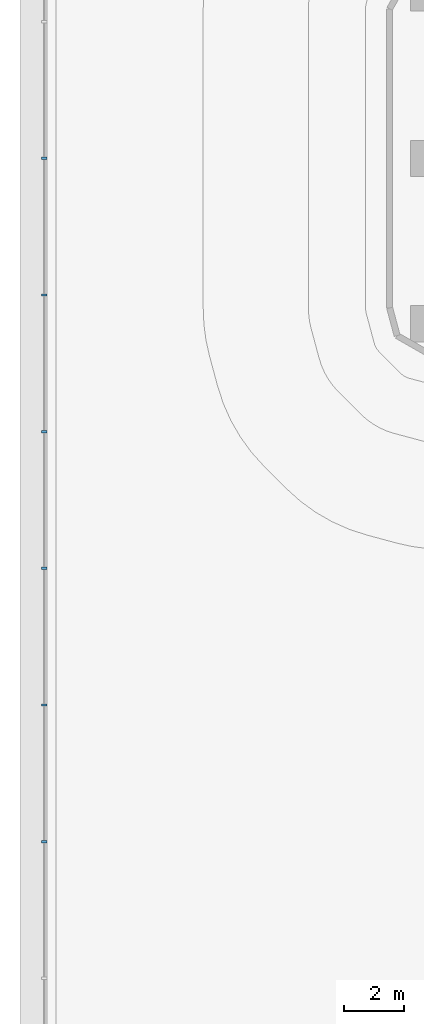
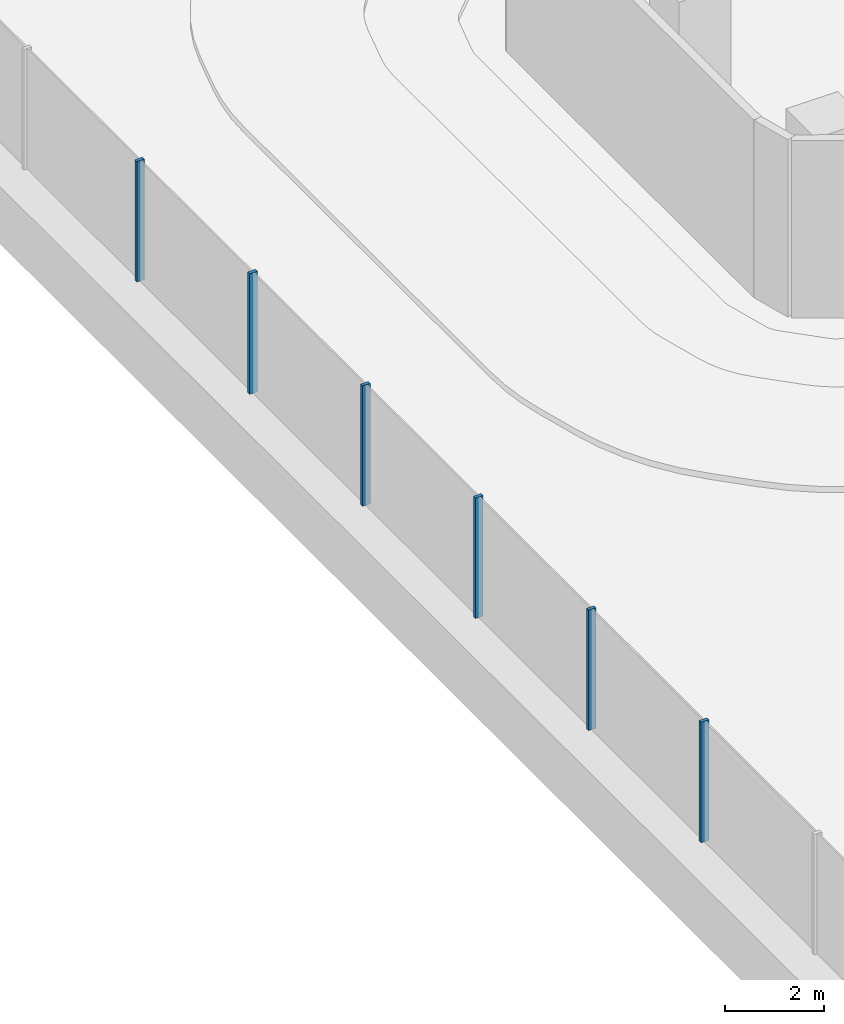
# One storey, part 5 of 37: 6 members, 1 element without a shape of its own.
"""IFC4 building model written with IfcOpenShell, lengths in metres."""

import ifcopenshell
import ifcopenshell.guid

model = None  # the IFC model being written
_history = None  # IfcOwnerHistory: only IFC2X3 demands one
_inside = {}  # id of a spatial element -> (the spatial element, [elements in it])
_under = {}  # id of a project, library or spatial element -> (it, [spatial elements below it])
_declared = {}  # id of a project -> (the project, [libraries it declares])
_typed = {}  # id of a type object -> (the type object, [elements of that type])
_made_of = {}  # id of a material, layer set ... -> (it, [elements and type objects made of it])


def new_model(schema):
    """Start an empty IFC model of exactly this schema.

    Asked for "IFC4X3", IfcOpenShell would pick the latest addendum, in which some entities
    have other attributes; the version numbers below select the first issue.
    IFC2X3 requires an IfcOwnerHistory on every rooted entity: one is made here for all.
    """
    global model, _history
    if schema == "IFC4X3":
        model = ifcopenshell.file(schema_version=(4, 3, 0, 0))
    else:
        model = ifcopenshell.file(schema=schema)
    _inside.clear()
    _under.clear()
    _declared.clear()
    _typed.clear()
    _made_of.clear()
    _history = None
    if model.schema == "IFC2X3":
        org = make("IfcOrganization", Name="unknown")
        user = make(
            "IfcPersonAndOrganization",
            ThePerson=make("IfcPerson", FamilyName="unknown"),
            TheOrganization=org,
        )
        app = make(
            "IfcApplication",
            ApplicationDeveloper=org,
            Version="unknown",
            ApplicationFullName="unknown",
            ApplicationIdentifier="unknown",
        )
        _history = make(
            "IfcOwnerHistory",
            OwningUser=user,
            OwningApplication=app,
            ChangeAction="ADDED",
            CreationDate=0,
        )
    return model


def make(cls, **values):
    """One entity of the class cls with the attributes given. An attribute that is None is left unset."""
    return model.create_entity(
        cls, **{name: value for name, value in values.items() if value is not None}
    )


def rooted(cls, **values):
    """An entity with a GlobalId (a new one), such as an element, a storey or a relation."""
    return make(cls, GlobalId=ifcopenshell.guid.new(), OwnerHistory=_history, **values)


def si_unit(unit_type, name, prefix=None):
    """IfcSIUnit, for example si_unit("LENGTHUNIT", "METRE", prefix="MILLI")."""
    return make("IfcSIUnit", UnitType=unit_type, Prefix=prefix, Name=name)


def assignment(units):
    """IfcUnitAssignment: the units of a project."""
    return None if units is None else make("IfcUnitAssignment", Units=units)


def point(xyz):
    """IfcCartesianPoint."""
    return None if xyz is None else make("IfcCartesianPoint", Coordinates=xyz)


def direction(xyz):
    """IfcDirection."""
    return None if xyz is None else make("IfcDirection", DirectionRatios=xyz)


def frame(location, z_axis=None, x_axis=None):
    """IfcAxis2Placement3D, a coordinate frame: its origin and axes. An axis left out is left unset."""
    return make(
        "IfcAxis2Placement3D",
        Location=point(location),
        Axis=direction(z_axis),
        RefDirection=direction(x_axis),
    )


def frame_2d(location, x_axis=None):
    """IfcAxis2Placement2D, a coordinate frame in the plane: its origin and x axis."""
    return make(
        "IfcAxis2Placement2D", Location=point(location), RefDirection=direction(x_axis)
    )


def origin():
    """The frame at (0, 0, 0) with its axes left unset."""
    return frame((0.0, 0.0, 0.0))


def origin_2d():
    """The frame at (0, 0) in the plane with its x axis left unset."""
    return frame_2d((0.0, 0.0))


def place(relative_to, where):
    """IfcLocalPlacement: puts the frame where relative to a parent placement (None: the world)."""
    return make(
        "IfcLocalPlacement", PlacementRelTo=relative_to, RelativePlacement=where
    )


def context(
    kind, dimensions, precision=None, world=None, true_north=None, identifier=None
):
    """IfcGeometricRepresentationContext, for example the 3D "Model" context."""
    return make(
        "IfcGeometricRepresentationContext",
        ContextIdentifier=identifier,
        ContextType=kind,
        CoordinateSpaceDimension=dimensions,
        Precision=precision,
        WorldCoordinateSystem=world,
        TrueNorth=true_north,
    )


def subcontext(parent, identifier, kind, view, scale=None):
    """IfcGeometricRepresentationSubContext, for example "Body" below "Model"."""
    return make(
        "IfcGeometricRepresentationSubContext",
        ContextIdentifier=identifier,
        ContextType=kind,
        ParentContext=parent,
        TargetScale=scale,
        TargetView=view,
    )


def project(units=None, contexts=None):
    """IfcProject with its units and contexts."""
    return rooted(
        "IfcProject",
        Name="project",
        RepresentationContexts=contexts,
        UnitsInContext=assignment(units),
    )


def spatial(cls, under=None, at=None, **own):
    """A site, building, storey or space (cls), placed at a placement, below another one or the project."""
    s = rooted(cls, ObjectPlacement=at, **own)
    if under is not None:
        _under.setdefault(under.id(), (under, []))[1].append(s)
    return s


def profile(cls, at=None, kind="AREA", **sizes):
    """A parametric profile (cls). Its sizes go by their IFC names, for example OverallWidth=200.0."""
    return make(cls, ProfileType=kind, Position=at, **sizes)


def rectangle(**sizes):
    """IfcRectangleProfileDef."""
    return profile("IfcRectangleProfileDef", **sizes)


def extrude(swept, where, along, depth):
    """IfcExtrudedAreaSolid: the profile swept, set in the frame where, extruded along a direction by depth."""
    return make(
        "IfcExtrudedAreaSolid",
        SweptArea=swept,
        Position=where,
        ExtrudedDirection=direction(along),
        Depth=depth,
    )


def shape(context_of_items, identifier, shape_type, items):
    """IfcShapeRepresentation: the items that make up one representation, for example the "Body"."""
    return make(
        "IfcShapeRepresentation",
        ContextOfItems=context_of_items,
        RepresentationIdentifier=identifier,
        RepresentationType=shape_type,
        Items=items,
    )


def material(Name=None, Category=None):
    """IfcMaterial."""
    return make("IfcMaterial", Name=Name, Category=Category)


def layer(
    of_material, thickness, ventilated=None, Name=None, Category=None, Priority=None
):
    """IfcMaterialLayer: one layer of a wall or slab, of a material (None: an air gap)."""
    return make(
        "IfcMaterialLayer",
        Material=of_material,
        LayerThickness=thickness,
        IsVentilated=ventilated,
        Name=Name,
        Category=Category,
        Priority=Priority,
    )


def layer_set(layers, Name=None):
    """IfcMaterialLayerSet."""
    return make("IfcMaterialLayerSet", MaterialLayers=layers, LayerSetName=Name)


def material_profile(
    of_material, cross_section, Name=None, Category=None, Priority=None
):
    """IfcMaterialProfile: a cross section and its material."""
    return make(
        "IfcMaterialProfile",
        Name=Name,
        Material=of_material,
        Profile=cross_section,
        Priority=Priority,
        Category=Category,
    )


def profile_set(profiles, Name=None, composite=None):
    """IfcMaterialProfileSet."""
    return make(
        "IfcMaterialProfileSet",
        Name=Name,
        MaterialProfiles=profiles,
        CompositeProfile=composite,
    )


def made_of(thing, what):
    """Note that an element or type object is made of a material, layer set ...; save() writes the relation."""
    if what is not None:
        _made_of.setdefault(what.id(), (what, []))[1].append(thing)
    return thing


def type_object(cls, material=None, **own):
    """A type object (cls), such as IfcWallType, which elements share."""
    return made_of(rooted(cls, **own), material)


def element(
    cls,
    number,
    at=None,
    inside=None,
    cuts=None,
    type_object=None,
    material=None,
    context=None,
    identifier="Body",
    shape_type=None,
    held_by="IfcProductDefinitionShape",
    body=None,
    shapes=None,
    **own,
):
    """One element of the class cls, such as IfcWall. Its Tag is "e" and its number.

    at: its placement. inside: the storey or other place that contains it. cuts: it is an
    opening in that element (IfcRelVoidsElement). A single representation is given by context,
    identifier, shape_type and body (its items); several are given by shapes. held_by: the class
    of the entity that holds the representations. save() writes the other relations.
    """
    e = rooted(cls, Tag="e%d" % number, ObjectPlacement=at, **own)
    if body is not None:
        shapes = [shape(context, identifier, shape_type, body)]
    if shapes is not None:
        e.Representation = make(held_by, Representations=shapes)
    if inside is not None:
        _inside.setdefault(inside.id(), (inside, []))[1].append(e)
    if cuts is not None:
        rooted(
            "IfcRelVoidsElement", RelatingBuildingElement=cuts, RelatedOpeningElement=e
        )
    if type_object is not None:
        _typed.setdefault(type_object.id(), (type_object, []))[1].append(e)
    return made_of(e, material)


def aggregate(whole, parts):
    """IfcRelAggregates: a whole, such as a stair, and the parts it consists of."""
    return rooted("IfcRelAggregates", RelatingObject=whole, RelatedObjects=parts)


def save(model, path):
    """Write the relations noted so far, then the file.

    IfcRelAggregates (storeys below a building ...), IfcRelContainedInSpatialStructure (elements
    in a storey), IfcRelDefinesByType, IfcRelAssociatesMaterial and IfcRelDeclares: one each for
    every whole, place, type object, material and project.
    """
    for whole, parts in _under.values():
        aggregate(whole, parts)
    for where, things in _inside.values():
        rooted(
            "IfcRelContainedInSpatialStructure",
            RelatedElements=things,
            RelatingStructure=where,
        )
    for kind, things in _typed.values():
        rooted("IfcRelDefinesByType", RelatedObjects=things, RelatingType=kind)
    for what, things in _made_of.values():
        rooted("IfcRelAssociatesMaterial", RelatedObjects=things, RelatingMaterial=what)
    for by, libraries in _declared.values():
        rooted("IfcRelDeclares", RelatingContext=by, RelatedDefinitions=libraries)
    model.write(path)


model = new_model("IFC4")

# Units and contexts
model_context = context("Model", 3, precision=1e-05, world=origin(), true_north=direction((0.0, 1.0)))
body_context = subcontext(model_context, "Body", "Model", "MODEL_VIEW")
ifc_project = project(units=[si_unit("LENGTHUNIT", "METRE"), si_unit("AREAUNIT", "SQUARE_METRE"), si_unit("VOLUMEUNIT", "CUBIC_METRE"), si_unit("PLANEANGLEUNIT", "RADIAN"), si_unit("MASSUNIT", "GRAM", prefix="KILO")], contexts=[model_context])

# Site, building, storey
site_placement = place(None, origin())
site = spatial("IfcSite", under=ifc_project, at=site_placement, CompositionType="ELEMENT")
building_placement = place(site_placement, origin())
building = spatial("IfcBuilding", under=site, at=building_placement, Name="Tamarind Cross Interchange Tower", CompositionType="ELEMENT")
storey_placement = place(building_placement, frame((0.0, 0.0, 29.5)))
storey = spatial("IfcBuildingStorey", under=building, at=storey_placement, Name="L05", CompositionType="ELEMENT", Elevation=29.5)

# Curtain wall, members
ifc_material = material(Name="Aluminium 6063-T6", Category="aluminium")
ifc_layer = layer(ifc_material, 0.179931640625)
ifc_layer_set = layer_set([ifc_layer], Name="Aluminium 6063-T6")
curtain_wall_type = type_object("IfcCurtainWallType", Name="Sky lobby curtain wall, fire-resisting glazing", PredefinedType="NOTDEFINED", material=ifc_layer_set)
curtain_wall_placement = place(storey_placement, origin())
curtain_wall = element("IfcCurtainWall", 1, at=curtain_wall_placement, inside=storey, type_object=curtain_wall_type, Name="CWS-L05-04", PredefinedType="NOTDEFINED")
ifc_material_profile = material_profile(ifc_material, rectangle(XDim=0.080078125, YDim=0.179931640625, at=origin_2d()), Name="Mullion CW4")
ifc_profile_set = profile_set([ifc_material_profile], Name="Aluminium 6063-T6")
member_type = type_object("IfcMemberType", Name="Mullion CW4", PredefinedType="MULLION", material=ifc_profile_set)
member_1_placement = place(storey_placement, frame((-60.800048828125, 0.0, 1.39990234375), z_axis=(0.0, 0.0, 1.0), x_axis=(0.0, -1.0, 0.0)))
member_1 = element("IfcMember", 2, at=member_1_placement, type_object=member_type, Name="CWM-L05-04-11", PredefinedType="MULLION", context=body_context, shape_type="SweptSolid", body=[
    extrude(rectangle(XDim=0.080078125, YDim=0.179931640625, at=origin_2d()), origin(), (0.0, 0.0, 1.0), 2.960205078125),
])
member_2_placement = place(storey_placement, frame((-60.800048828125, -4.5439453125, 1.39990234375), z_axis=(0.0, 0.0, 1.0), x_axis=(0.0, -1.0, 0.0)))
member_2 = element("IfcMember", 3, at=member_2_placement, type_object=member_type, Name="CWM-L05-04-12", PredefinedType="MULLION", context=body_context, shape_type="SweptSolid", body=[
    extrude(rectangle(XDim=0.080078125, YDim=0.179931640625, at=origin_2d()), origin(), (0.0, 0.0, 1.0), 2.960205078125),
])
member_3_placement = place(storey_placement, frame((-60.800048828125, -9.088134765625, 1.39990234375), z_axis=(0.0, 0.0, 1.0), x_axis=(0.0, -1.0, 0.0)))
member_3 = element("IfcMember", 4, at=member_3_placement, type_object=member_type, Name="CWM-L05-04-13", PredefinedType="MULLION", context=body_context, shape_type="SweptSolid", body=[
    extrude(rectangle(XDim=0.080078125, YDim=0.179931640625, at=origin_2d()), origin(), (0.0, 0.0, 1.0), 2.960205078125),
])
member_4_placement = place(storey_placement, frame((-60.800048828125, -13.632080078125, 1.39990234375), z_axis=(0.0, 0.0, 1.0), x_axis=(0.0, -1.0, 0.0)))
member_4 = element("IfcMember", 5, at=member_4_placement, type_object=member_type, Name="CWM-L05-04-14", PredefinedType="MULLION", context=body_context, shape_type="SweptSolid", body=[
    extrude(rectangle(XDim=0.080078125, YDim=0.179931640625, at=origin_2d()), origin(), (0.0, 0.0, 1.0), 2.960205078125),
])
member_5_placement = place(storey_placement, frame((-60.800048828125, -18.176025390625, 1.39990234375), z_axis=(0.0, 0.0, 1.0), x_axis=(0.0, -1.0, 0.0)))
member_5 = element("IfcMember", 6, at=member_5_placement, type_object=member_type, Name="CWM-L05-04-15", PredefinedType="MULLION", context=body_context, shape_type="SweptSolid", body=[
    extrude(rectangle(XDim=0.080078125, YDim=0.179931640625, at=origin_2d()), origin(), (0.0, 0.0, 1.0), 2.960205078125),
])
member_6_placement = place(storey_placement, frame((-60.800048828125, -22.72021484375, 1.39990234375), z_axis=(0.0, 0.0, 1.0), x_axis=(0.0, -1.0, 0.0)))
member_6 = element("IfcMember", 7, at=member_6_placement, type_object=member_type, Name="CWM-L05-04-16", PredefinedType="MULLION", context=body_context, shape_type="SweptSolid", body=[
    extrude(rectangle(XDim=0.080078125, YDim=0.179931640625, at=origin_2d()), origin(), (0.0, 0.0, 1.0), 2.960205078125),
])
aggregate(curtain_wall, [member_1, member_2, member_3, member_4, member_5, member_6])

save(model, "model.ifc")
